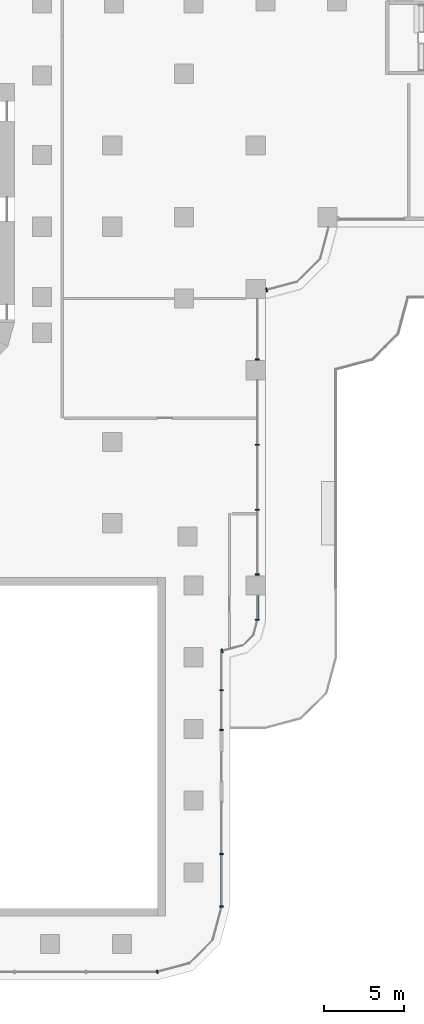
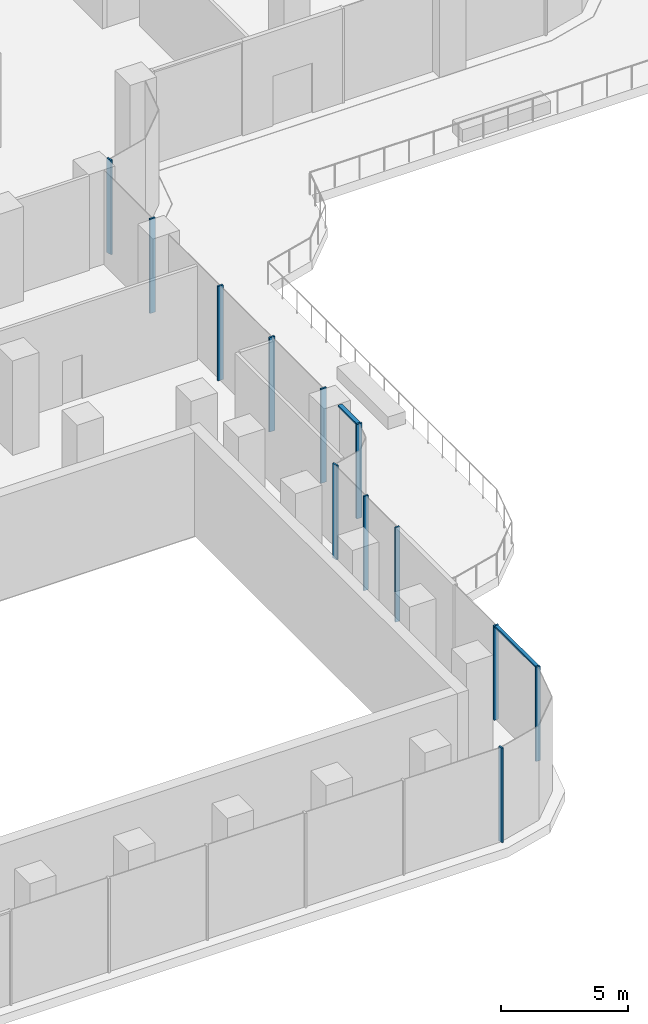
# One storey, part 4 of 29: 14 members, 5 elements without a shape of their own.
"""IFC4 building model written with IfcOpenShell, lengths in metres."""

from ifc_helpers import new_model, si_unit, direction, frame, origin, place, context, subcontext, project, spatial, polyline, outline, extrude, source, transform, mapped, material, type_object, element, aggregate, save


model = new_model("IFC4")

# Units and contexts
model_context = context("Model", 3, precision=1e-05, world=origin(), true_north=direction((0.0, 1.0)))
body_context = subcontext(model_context, "Body", "Model", "MODEL_VIEW")
ifc_project = project(units=[si_unit("LENGTHUNIT", "METRE"), si_unit("AREAUNIT", "SQUARE_METRE"), si_unit("VOLUMEUNIT", "CUBIC_METRE"), si_unit("PLANEANGLEUNIT", "RADIAN"), si_unit("MASSUNIT", "GRAM", prefix="KILO")], contexts=[model_context])

# Site, building, storey
site_placement = place(None, origin())
site = spatial("IfcSite", under=ifc_project, at=site_placement, CompositionType="ELEMENT")
building_placement = place(site_placement, origin())
building = spatial("IfcBuilding", under=site, at=building_placement, Name="Zarbagh Exchange Tower", CompositionType="ELEMENT")
storey_placement = place(building_placement, frame((0.0, 0.0, 12.0)))
storey = spatial("IfcBuildingStorey", under=building, at=storey_placement, Name="L02", CompositionType="ELEMENT", Elevation=12.0)

# Curtain wall, member
ifc_material_1 = material(Name="Anodised aluminium frame and glazing", Category="aluminium")
curtain_wall_type_1 = type_object("IfcCurtainWallType", Name="CWD Exchange hall wall glazing", PredefinedType="NOTDEFINED", material=ifc_material_1)
curtain_wall_1_placement = place(storey_placement, origin())
curtain_wall_1 = element("IfcCurtainWall", 1, at=curtain_wall_1_placement, inside=storey, type_object=curtain_wall_type_1, Name="CWD01 curtain wall", PredefinedType="NOTDEFINED")
ifc_material_2 = material(Name="Anodised aluminium frame", Category="aluminium")
member_type_1 = type_object("IfcMemberType", Name="MUD Mullion, anodised aluminium frame", PredefinedType="MULLION", material=ifc_material_2)
shared_shape_1 = source(origin(), body_context, "Body", "SweptSolid", [
    extrude(outline(polyline([(0.0, -0.10009765625), (0.080078125, -0.10009765625), (0.080078125, 0.10009765625), (0.0, 0.10009765625), (0.0, -0.10009765625)])), origin(), (0.0, 0.0, 1.0), 4.550048828125),
])
placement = place(storey_placement, origin())
member_1 = element("IfcMember", 2, at=placement, type_object=member_type_1, Name="CWD01 mullion 1.1", PredefinedType="MULLION", context=body_context, shape_type="MappedRepresentation", body=[
    mapped(shared_shape_1, transform((13.43408203125, -67.0, 0.0), x_axis=(0.965924289636, 0.258824779902, 0.0), y_axis=(-0.258824779902, 0.965924289636, 0.0), z_axis=(0.0, 0.0, 1.0))),
])
aggregate(curtain_wall_1, [member_1])

# Curtain wall, members
curtain_wall_2_placement = place(storey_placement, origin())
curtain_wall_2 = element("IfcCurtainWall", 3, at=curtain_wall_2_placement, inside=storey, type_object=curtain_wall_type_1, Name="CWD12 curtain wall", PredefinedType="NOTDEFINED")
member_2 = element("IfcMember", 4, at=placement, type_object=member_type_1, Name="CWD12 mullion 1.1", PredefinedType="MULLION", context=body_context, shape_type="MappedRepresentation", body=[
    mapped(shared_shape_1, transform((17.5, -62.93408203125, 0.0), x_axis=(0.0, 1.0, 0.0), y_axis=(-1.0, 0.0, 0.0), z_axis=(0.0, 0.0, 1.0))),
])
member_3 = element("IfcMember", 5, at=placement, type_object=member_type_1, Name="CWD12 mullion 1.2", PredefinedType="MULLION", context=body_context, shape_type="MappedRepresentation", body=[
    mapped(shared_shape_1, transform((17.5, -59.642333984375, 0.0), x_axis=(0.0, 1.0, 0.0), y_axis=(-1.0, 0.0, 0.0), z_axis=(0.0, 0.0, 1.0))),
])
member_4 = element("IfcMember", 6, at=placement, type_object=member_type_1, Name="CWD12 mullion 2.1", PredefinedType="MULLION", context=body_context, shape_type="MappedRepresentation", body=[
    mapped(shared_shape_1, transform((17.5, -51.850341796875, 0.0), x_axis=(0.0, 1.0, 0.0), y_axis=(-1.0, 0.0, 0.0), z_axis=(0.0, 0.0, 1.0))),
])
member_5 = element("IfcMember", 7, at=placement, type_object=member_type_1, Name="CWD12 mullion 2.2", PredefinedType="MULLION", context=body_context, shape_type="MappedRepresentation", body=[
    mapped(shared_shape_1, transform((17.5, -49.3583984375, 0.0), x_axis=(0.0, 1.0, 0.0), y_axis=(-1.0, 0.0, 0.0), z_axis=(0.0, 0.0, 1.0))),
])

# Curtain wall, member
curtain_wall_type_2 = type_object("IfcCurtainWallType", Name="CWC Podium garden-wall glazing", PredefinedType="NOTDEFINED", material=ifc_material_1)
curtain_wall_3_placement = place(storey_placement, origin())
curtain_wall_3 = element("IfcCurtainWall", 8, at=curtain_wall_3_placement, inside=storey, type_object=curtain_wall_type_2, Name="CWC99 curtain wall", PredefinedType="NOTDEFINED")
member_type_2 = type_object("IfcMemberType", Name="MUC Mullion, anodised aluminium frame", PredefinedType="MULLION", material=ifc_material_2)
shared_shape_2 = source(origin(), body_context, "Body", "SweptSolid", [
    extrude(outline(polyline([(0.0, -0.125), (0.080078125, -0.125), (0.080078125, 0.125), (0.0, 0.125), (0.0, -0.125)])), origin(), (0.0, 0.0, 1.0), 4.550048828125),
])
member_6 = element("IfcMember", 9, at=placement, type_object=member_type_2, Name="CWC99 mullion 1.1", PredefinedType="MULLION", context=body_context, shape_type="MappedRepresentation", body=[
    mapped(shared_shape_2, transform((17.5, -46.8662109375, 0.0), x_axis=(0.965935021701, 0.25878472492, 0.0), y_axis=(-0.25878472492, 0.965935021701, 0.0), z_axis=(0.0, 0.0, 1.0))),
])
aggregate(curtain_wall_3, [member_6])

# Curtain wall, members
curtain_wall_4_placement = place(storey_placement, origin())
curtain_wall_4 = element("IfcCurtainWall", 10, at=curtain_wall_4_placement, inside=storey, type_object=curtain_wall_type_2, Name="CWC102 curtain wall", PredefinedType="NOTDEFINED")
member_7 = element("IfcMember", 11, at=placement, type_object=member_type_2, Name="CWC102 mullion 1.1", PredefinedType="MULLION", context=body_context, shape_type="MappedRepresentation", body=[
    mapped(shared_shape_2, transform((19.75, -44.93408203125, 0.0), x_axis=(0.0, 1.0, 0.0), y_axis=(-1.0, 0.0, 0.0), z_axis=(0.0, 0.0, 1.0))),
])
member_8 = element("IfcMember", 12, at=placement, type_object=member_type_2, Name="CWC102 mullion 2.1", PredefinedType="MULLION", context=body_context, shape_type="MappedRepresentation", body=[
    mapped(shared_shape_2, transform((19.75, -42.10986328125, 0.0), x_axis=(0.0, 1.0, 0.0), y_axis=(-1.0, 0.0, 0.0), z_axis=(0.0, 0.0, 1.0))),
])
member_9 = element("IfcMember", 13, at=placement, type_object=member_type_2, Name="CWC102 mullion 2.2", PredefinedType="MULLION", context=body_context, shape_type="MappedRepresentation", body=[
    mapped(shared_shape_2, transform((19.75, -38.03662109375, 0.0), x_axis=(0.0, 1.0, 0.0), y_axis=(-1.0, 0.0, 0.0), z_axis=(0.0, 0.0, 1.0))),
])
member_10 = element("IfcMember", 14, at=placement, type_object=member_type_2, Name="CWC102 mullion 2.3", PredefinedType="MULLION", context=body_context, shape_type="MappedRepresentation", body=[
    mapped(shared_shape_2, transform((19.75, -33.96337890625, 0.0), x_axis=(0.0, 1.0, 0.0), y_axis=(-1.0, 0.0, 0.0), z_axis=(0.0, 0.0, 1.0))),
])
member_11 = element("IfcMember", 15, at=placement, type_object=member_type_2, Name="CWC102 mullion 3.1", PredefinedType="MULLION", context=body_context, shape_type="MappedRepresentation", body=[
    mapped(shared_shape_2, transform((19.75, -28.60986328125, 0.0), x_axis=(0.0, 1.0, 0.0), y_axis=(-1.0, 0.0, 0.0), z_axis=(0.0, 0.0, 1.0))),
])

# Curtain wall, member
curtain_wall_5_placement = place(storey_placement, origin())
curtain_wall_5 = element("IfcCurtainWall", 16, at=curtain_wall_5_placement, inside=storey, type_object=curtain_wall_type_2, Name="CWC103 curtain wall", PredefinedType="NOTDEFINED")
member_12 = element("IfcMember", 17, at=placement, type_object=member_type_2, Name="CWC103 mullion 1.1", PredefinedType="MULLION", context=body_context, shape_type="MappedRepresentation", body=[
    mapped(shared_shape_2, transform((20.2900390625, -24.2216796875, 0.0), x_axis=(0.965924289636, 0.258824779902, 0.0), y_axis=(-0.258824779902, 0.965924289636, 0.0), z_axis=(0.0, 0.0, 1.0))),
])
aggregate(curtain_wall_5, [member_12])

# Member
member_type_3 = type_object("IfcMemberType", Name="TRD Transom, anodised aluminium frame", PredefinedType="USERDEFINED", material=ifc_material_2)
shared_shape_3 = source(origin(), body_context, "Body", "SweptSolid", [
    extrude(outline(polyline([(-0.080078125, -0.074951171875), (0.0, -0.074951171875), (0.0, 0.074951171875), (-0.080078125, 0.074951171875), (-0.080078125, -0.074951171875)])), origin(), (0.0, 0.0, 1.0), 3.2119140625),
])
member_13 = element("IfcMember", 18, at=placement, type_object=member_type_3, Name="CWD12 transom 1.1", ObjectType="TRANSOM", PredefinedType="USERDEFINED", context=body_context, shape_type="MappedRepresentation", body=[
    mapped(shared_shape_3, transform((17.5, -62.854248046875, 4.550048828125), x_axis=(0.0, 0.0, 1.0), y_axis=(1.0, 0.0, 0.0), z_axis=(0.0, 1.0, 0.0))),
])

aggregate(curtain_wall_2, [member_2, member_13, member_3, member_4, member_5])

member_type_4 = type_object("IfcMemberType", Name="TRC Transom, anodised aluminium frame", PredefinedType="USERDEFINED", material=ifc_material_2)
shared_shape_4 = source(origin(), body_context, "Body", "SweptSolid", [
    extrude(outline(polyline([(-0.080078125, -0.090087890625), (0.0, -0.090087890625), (0.0, 0.090087890625), (-0.080078125, 0.090087890625), (-0.080078125, -0.090087890625)])), origin(), (0.0, 0.0, 1.0), 1.464111328125),
])
member_14 = element("IfcMember", 19, at=placement, type_object=member_type_4, Name="CWC102 transom 1.1", ObjectType="TRANSOM", PredefinedType="USERDEFINED", context=body_context, shape_type="MappedRepresentation", body=[
    mapped(shared_shape_4, transform((19.75, -44.854248046875, 4.550048828125), x_axis=(0.0, 0.0, 1.0), y_axis=(1.0, 0.0, 0.0), z_axis=(0.0, 1.0, 0.0))),
])

aggregate(curtain_wall_4, [member_7, member_14, member_8, member_9, member_10, member_11])

save(model, "model.ifc")
